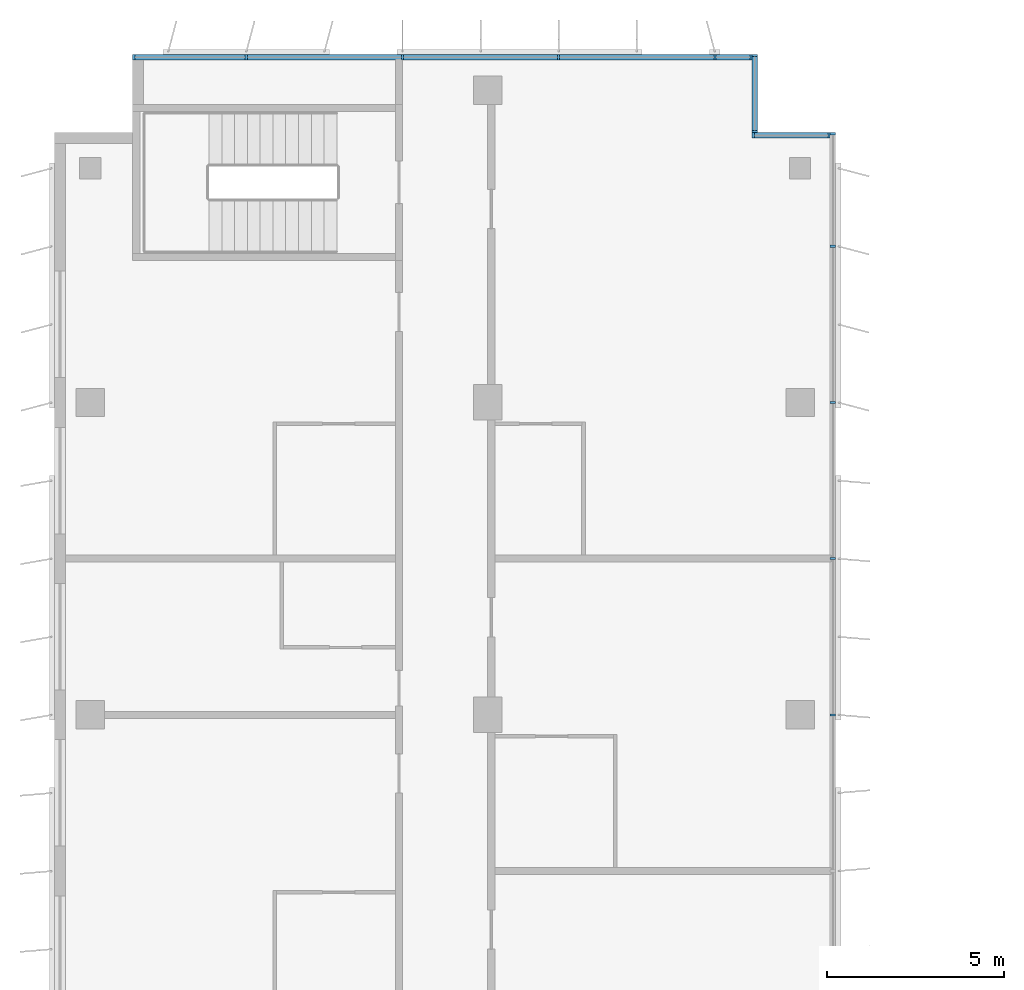
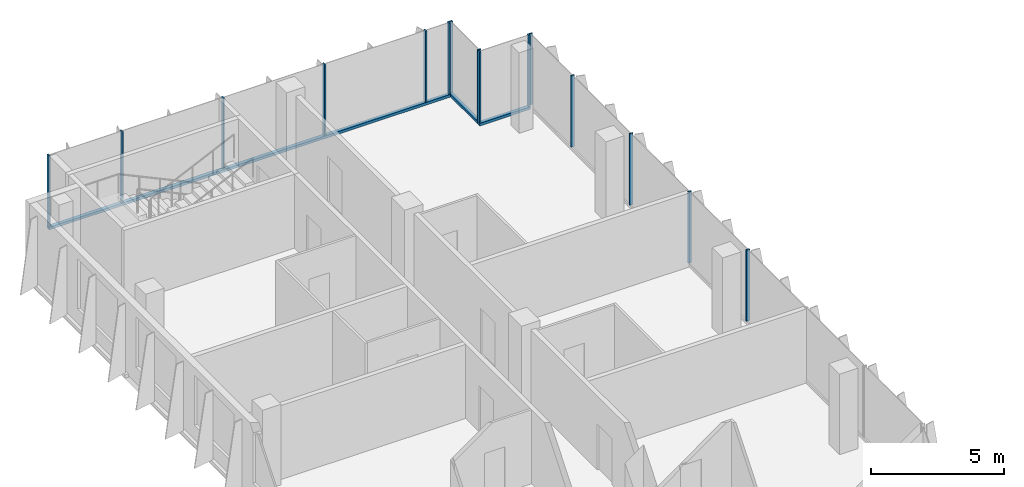
# One storey, part 6 of 15: 18 members, 4 elements without a shape of their own.
"""IFC4 building model written with IfcOpenShell, lengths in metres."""

from ifc_helpers import new_model, si_unit, direction, frame, origin, origin_2d, place, context, subcontext, project, spatial, rectangle, extrude, source, transform, mapped, material, material_profile, profile_set, type_object, element, aggregate, save


model = new_model("IFC4")

# Units and contexts
model_context = context("Model", 3, precision=1e-05, world=origin(), true_north=direction((0.0, 1.0)))
body_context = subcontext(model_context, "Body", "Model", "MODEL_VIEW")
ifc_project = project(units=[si_unit("LENGTHUNIT", "METRE"), si_unit("AREAUNIT", "SQUARE_METRE"), si_unit("VOLUMEUNIT", "CUBIC_METRE"), si_unit("PLANEANGLEUNIT", "RADIAN"), si_unit("MASSUNIT", "GRAM", prefix="KILO")], contexts=[model_context])

# Site, building, storey
site_placement = place(None, origin())
site = spatial("IfcSite", under=ifc_project, at=site_placement, CompositionType="ELEMENT")
building_placement = place(site_placement, origin())
building = spatial("IfcBuilding", under=site, at=building_placement, Name="Kemantara Hotel Tower", CompositionType="ELEMENT")
storey_placement = place(building_placement, frame((0.0, 0.0, 294.39990234375)))
storey = spatial("IfcBuildingStorey", under=building, at=storey_placement, Name="L74", CompositionType="ELEMENT", Elevation=294.39990234375)

# Curtain wall, member
ifc_material_1 = material(Name="Low-E tinted double insulated glass 36 mm", Category="glass")
curtain_wall_type = type_object("IfcCurtainWallType", Name="TOWER CURTAIN WALL, FRONT FACES", PredefinedType="USERDEFINED", material=ifc_material_1)
curtain_wall_1_placement = place(storey_placement, origin())
curtain_wall_1 = element("IfcCurtainWall", 1, at=curtain_wall_1_placement, inside=storey, type_object=curtain_wall_type, Name="CW4 L74 T4-R02-1", ObjectType="TOWER CURTAIN WALL, FRONT FACES", PredefinedType="USERDEFINED")
ifc_material_2 = material(Name="Aluminium 6063-T6 bronze anodised", Category="aluminium")
ifc_material_profile_1 = material_profile(ifc_material_2, rectangle(XDim=0.14990234375, YDim=0.1201171875, at=origin_2d()), Name="TOWER CURTAIN WALL, FRONT FACES TRANSOM")
ifc_profile_set_1 = profile_set([ifc_material_profile_1], Name="Aluminium 6063-T6 bronze anodised")
member_type_1 = type_object("IfcMemberType", Name="TOWER CURTAIN WALL, FRONT FACES TRANSOM", PredefinedType="USERDEFINED", material=ifc_profile_set_1)
member_1_placement = place(storey_placement, frame((19.64990234375, 63.52490234375, 0.06005859375), z_axis=(-1.0, 0.0, 0.0), x_axis=(0.0, -1.0, 0.0)))
member_1 = element("IfcMember", 2, at=member_1_placement, type_object=member_type_1, Name="CW4 sill transom T4-R02-1", ObjectType="TRANSOM", PredefinedType="USERDEFINED", context=body_context, shape_type="SweptSolid", body=[
    extrude(rectangle(XDim=0.14990234375, YDim=0.1201171875, at=origin_2d()), origin(), (0.0, 0.0, 1.0), 17.449951171875),
])

curtain_wall_2_placement = place(storey_placement, origin())
curtain_wall_2 = element("IfcCurtainWall", 3, at=curtain_wall_2_placement, inside=storey, type_object=curtain_wall_type, Name="CW4 L74 T4-R00-1", ObjectType="TOWER CURTAIN WALL, FRONT FACES", PredefinedType="USERDEFINED")
member_2_placement = place(storey_placement, frame((21.85009765625, 61.324951171875, 0.06005859375), z_axis=(-1.0, 0.0, 0.0), x_axis=(0.0, -1.0, 0.0)))
member_2 = element("IfcMember", 4, at=member_2_placement, type_object=member_type_1, Name="CW4 sill transom T4-R00-1", ObjectType="TRANSOM", PredefinedType="USERDEFINED", context=body_context, shape_type="SweptSolid", body=[
    extrude(rectangle(XDim=0.14990234375, YDim=0.1201171875, at=origin_2d()), origin(), (0.0, 0.0, 1.0), 2.2001953125),
])

curtain_wall_3_placement = place(storey_placement, origin())
curtain_wall_3 = element("IfcCurtainWall", 5, at=curtain_wall_3_placement, inside=storey, type_object=curtain_wall_type, Name="CW4 L74 T4-R01-1", ObjectType="TOWER CURTAIN WALL, FRONT FACES", PredefinedType="USERDEFINED")
member_3_placement = place(storey_placement, frame((19.72509765625, 61.39990234375, 0.06005859375), z_axis=(0.0, 1.0, 0.0), x_axis=(-1.0, 0.0, 0.0)))
member_3 = element("IfcMember", 6, at=member_3_placement, type_object=member_type_1, Name="CW4 sill transom T4-R01-1", ObjectType="TRANSOM", PredefinedType="USERDEFINED", context=body_context, shape_type="SweptSolid", body=[
    extrude(rectangle(XDim=0.14990234375, YDim=0.1201171875, at=origin_2d()), origin(), (0.0, 0.0, 1.0), 2.2001953125),
])

# Member
ifc_material_profile_2 = material_profile(ifc_material_2, rectangle(XDim=0.14990234375, YDim=0.06005859375, at=origin_2d()), Name="TOWER CURTAIN WALL, FRONT FACES MULLION")
ifc_profile_set_2 = profile_set([ifc_material_profile_2], Name="Aluminium 6063-T6 bronze anodised")
member_type_2 = type_object("IfcMemberType", Name="TOWER CURTAIN WALL, FRONT FACES MULLION", PredefinedType="MULLION", material=ifc_profile_set_2)
shared_shape = source(origin(), body_context, "Body", "SweptSolid", [
    extrude(rectangle(XDim=0.14990234375, YDim=0.06005859375, at=origin_2d()), origin(), (0.0, 0.0, 1.0), 3.280029296875),
])
member_4_placement = place(storey_placement, frame((19.6201171875, 63.52490234375, 0.1201171875), z_axis=(0.0, 0.0, 1.0), x_axis=(0.0, -1.0, 0.0)))
member_4 = element("IfcMember", 7, at=member_4_placement, type_object=member_type_2, Name="CW4 mullion T4-R02-1.1", PredefinedType="MULLION", context=body_context, shape_type="MappedRepresentation", body=[
    mapped(shared_shape, transform((0.0, 0.0, 0.0))),
])

member_5_placement = place(storey_placement, frame((18.60009765625, 63.52490234375, 0.1201171875), z_axis=(0.0, 0.0, 1.0), x_axis=(0.0, -1.0, 0.0)))
member_5 = element("IfcMember", 8, at=member_5_placement, type_object=member_type_2, Name="CW4 mullion T4-R02-1.2", PredefinedType="MULLION", context=body_context, shape_type="MappedRepresentation", body=[
    mapped(shared_shape, transform((0.0, 0.0, 0.0))),
])

member_6_placement = place(storey_placement, frame((14.199951171875, 63.52490234375, 0.1201171875), z_axis=(0.0, 0.0, 1.0), x_axis=(0.0, -1.0, 0.0)))
member_6 = element("IfcMember", 9, at=member_6_placement, type_object=member_type_2, Name="CW4 mullion T4-R02-1.3", PredefinedType="MULLION", context=body_context, shape_type="MappedRepresentation", body=[
    mapped(shared_shape, transform((0.0, 0.0, 0.0))),
])

member_7_placement = place(storey_placement, frame((9.800048828125, 63.52490234375, 0.1201171875), z_axis=(0.0, 0.0, 1.0), x_axis=(0.0, -1.0, 0.0)))
member_7 = element("IfcMember", 10, at=member_7_placement, type_object=member_type_2, Name="CW4 mullion T4-R02-1.4", PredefinedType="MULLION", context=body_context, shape_type="MappedRepresentation", body=[
    mapped(shared_shape, transform((0.0, 0.0, 0.0))),
])

member_8_placement = place(storey_placement, frame((5.39990234375, 63.52490234375, 0.1201171875), z_axis=(0.0, 0.0, 1.0), x_axis=(0.0, -1.0, 0.0)))
member_8 = element("IfcMember", 11, at=member_8_placement, type_object=member_type_2, Name="CW4 mullion T4-R02-1.5", PredefinedType="MULLION", context=body_context, shape_type="MappedRepresentation", body=[
    mapped(shared_shape, transform((0.0, 0.0, 0.0))),
])

member_9_placement = place(storey_placement, frame((2.22998046875, 63.52490234375, 0.1201171875), z_axis=(0.0, 0.0, 1.0), x_axis=(0.0, -1.0, 0.0)))
member_9 = element("IfcMember", 12, at=member_9_placement, type_object=member_type_2, Name="CW4 mullion T4-R02-1.6", PredefinedType="MULLION", context=body_context, shape_type="MappedRepresentation", body=[
    mapped(shared_shape, transform((0.0, 0.0, 0.0))),
])

aggregate(curtain_wall_1, [member_1, member_4, member_5, member_6, member_7, member_8, member_9])

# Curtain wall, members
curtain_wall_4_placement = place(storey_placement, origin())
curtain_wall_4 = element("IfcCurtainWall", 13, at=curtain_wall_4_placement, inside=storey, type_object=curtain_wall_type, Name="CW4 L74 T4-R15-1", ObjectType="TOWER CURTAIN WALL, FRONT FACES", PredefinedType="USERDEFINED")
member_10_placement = place(storey_placement, frame((21.925048828125, 45.0, 0.1201171875), z_axis=(0.0, 0.0, 1.0), x_axis=(-1.0, 0.0, 0.0)))
member_10 = element("IfcMember", 14, at=member_10_placement, type_object=member_type_2, Name="CW4 mullion T4-R15-1.6", PredefinedType="MULLION", context=body_context, shape_type="MappedRepresentation", body=[
    mapped(shared_shape, transform((0.0, 0.0, 0.0))),
])
member_11_placement = place(storey_placement, frame((21.925048828125, 49.39990234375, 0.1201171875), z_axis=(0.0, 0.0, 1.0), x_axis=(-1.0, 0.0, 0.0)))
member_11 = element("IfcMember", 15, at=member_11_placement, type_object=member_type_2, Name="CW4 mullion T4-R15-1.7", PredefinedType="MULLION", context=body_context, shape_type="MappedRepresentation", body=[
    mapped(shared_shape, transform((0.0, 0.0, 0.0))),
])
member_12_placement = place(storey_placement, frame((21.925048828125, 53.800048828125, 0.1201171875), z_axis=(0.0, 0.0, 1.0), x_axis=(-1.0, 0.0, 0.0)))
member_12 = element("IfcMember", 16, at=member_12_placement, type_object=member_type_2, Name="CW4 mullion T4-R15-1.8", PredefinedType="MULLION", context=body_context, shape_type="MappedRepresentation", body=[
    mapped(shared_shape, transform((0.0, 0.0, 0.0))),
])
member_13_placement = place(storey_placement, frame((21.925048828125, 58.199951171875, 0.1201171875), z_axis=(0.0, 0.0, 1.0), x_axis=(-1.0, 0.0, 0.0)))
member_13 = element("IfcMember", 17, at=member_13_placement, type_object=member_type_2, Name="CW4 mullion T4-R15-1.9", PredefinedType="MULLION", context=body_context, shape_type="MappedRepresentation", body=[
    mapped(shared_shape, transform((0.0, 0.0, 0.0))),
])
member_14_placement = place(storey_placement, frame((21.925048828125, 61.3701171875, 0.1201171875), z_axis=(0.0, 0.0, 1.0), x_axis=(-1.0, 0.0, 0.0)))
member_14 = element("IfcMember", 18, at=member_14_placement, type_object=member_type_2, Name="CW4 mullion T4-R15-1.10", PredefinedType="MULLION", context=body_context, shape_type="MappedRepresentation", body=[
    mapped(shared_shape, transform((0.0, 0.0, 0.0))),
])
aggregate(curtain_wall_4, [member_10, member_11, member_12, member_13, member_14])

# Member
member_15_placement = place(storey_placement, frame((21.820068359375, 61.324951171875, 0.1201171875), z_axis=(0.0, 0.0, 1.0), x_axis=(0.0, -1.0, 0.0)))
member_15 = element("IfcMember", 19, at=member_15_placement, type_object=member_type_2, Name="CW4 mullion T4-R00-1.1", PredefinedType="MULLION", context=body_context, shape_type="MappedRepresentation", body=[
    mapped(shared_shape, transform((0.0, 0.0, 0.0))),
])

member_16_placement = place(storey_placement, frame((19.679931640625, 61.324951171875, 0.1201171875), z_axis=(0.0, 0.0, 1.0), x_axis=(0.0, -1.0, 0.0)))
member_16 = element("IfcMember", 20, at=member_16_placement, type_object=member_type_2, Name="CW4 mullion T4-R00-1.2", PredefinedType="MULLION", context=body_context, shape_type="MappedRepresentation", body=[
    mapped(shared_shape, transform((0.0, 0.0, 0.0))),
])

aggregate(curtain_wall_2, [member_2, member_15, member_16])

member_17_placement = place(storey_placement, frame((19.72509765625, 61.429931640625, 0.1201171875), z_axis=(0.0, 0.0, 1.0), x_axis=(-1.0, 0.0, 0.0)))
member_17 = element("IfcMember", 21, at=member_17_placement, type_object=member_type_2, Name="CW4 mullion T4-R01-1.1", PredefinedType="MULLION", context=body_context, shape_type="MappedRepresentation", body=[
    mapped(shared_shape, transform((0.0, 0.0, 0.0))),
])

member_18_placement = place(storey_placement, frame((19.72509765625, 63.570068359375, 0.1201171875), z_axis=(0.0, 0.0, 1.0), x_axis=(-1.0, 0.0, 0.0)))
member_18 = element("IfcMember", 22, at=member_18_placement, type_object=member_type_2, Name="CW4 mullion T4-R01-1.2", PredefinedType="MULLION", context=body_context, shape_type="MappedRepresentation", body=[
    mapped(shared_shape, transform((0.0, 0.0, 0.0))),
])

aggregate(curtain_wall_3, [member_3, member_17, member_18])

save(model, "model.ifc")
